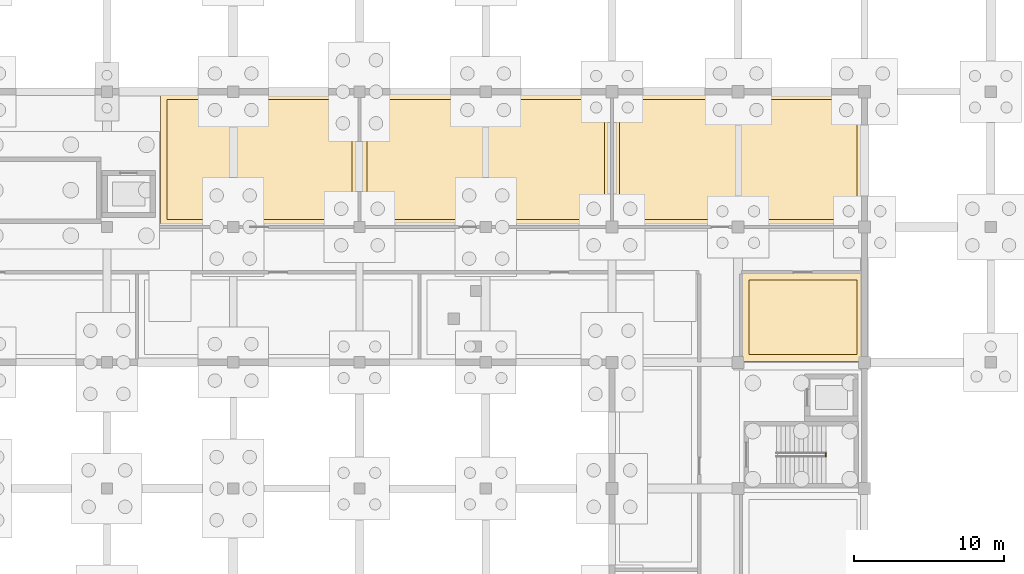
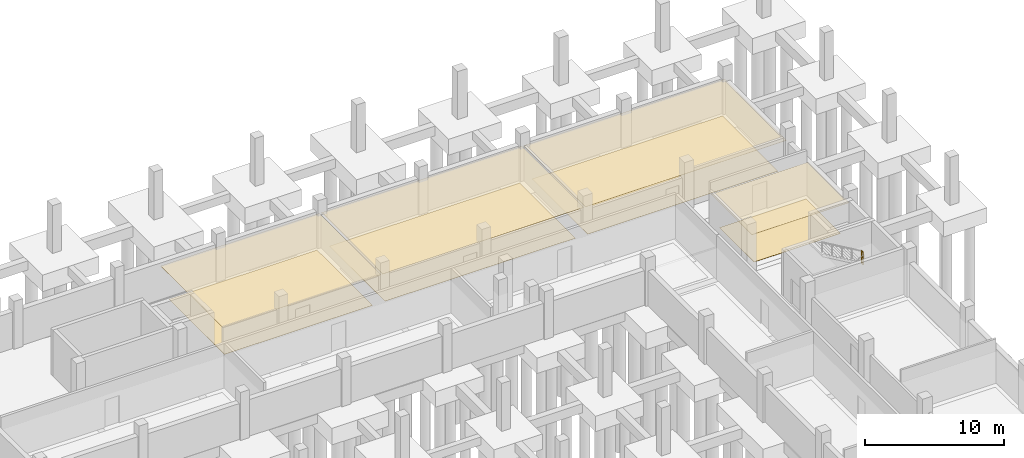
# One storey, part 18 of 20: 8 coverings, 1 railing.
"""IFC4 building model written with IfcOpenShell, lengths in metres."""

from ifc_helpers import new_model, si_unit, direction, frame, origin, origin_2d, place, context, subcontext, project, spatial, polyline, circle, outline, extrude, material, layer, layer_set, type_object, element, save


model = new_model("IFC4")

# Units and contexts
model_context = context("Model", 3, precision=1e-05, world=origin(), true_north=direction((0.0, 1.0)))
body_context = subcontext(model_context, "Body", "Model", "MODEL_VIEW")
ifc_project = project(units=[si_unit("LENGTHUNIT", "METRE"), si_unit("AREAUNIT", "SQUARE_METRE"), si_unit("VOLUMEUNIT", "CUBIC_METRE"), si_unit("PLANEANGLEUNIT", "RADIAN"), si_unit("MASSUNIT", "GRAM", prefix="KILO")], contexts=[model_context])

# Site, building, storey
site_placement = place(None, origin())
site = spatial("IfcSite", under=ifc_project, at=site_placement, CompositionType="ELEMENT")
building_placement = place(site_placement, origin())
building = spatial("IfcBuilding", under=site, at=building_placement, Name="Vireocrest Preparatory School", CompositionType="ELEMENT")
storey_placement = place(building_placement, frame((0.0, 0.0, -4.199951171875)))
storey = spatial("IfcBuildingStorey", under=building, at=storey_placement, Name="B01", CompositionType="ELEMENT", Elevation=-4.199951171875)

# Coverings
ifc_material_1 = material(Name="Mineral fibre acoustic ceiling tile")
ifc_layer_1 = layer(ifc_material_1, 0.02490234375)
ifc_layer_set_1 = layer_set([ifc_layer_1], Name="Mineral fibre acoustic ceiling tile")
covering_type_1 = type_object("IfcCoveringType", Name="Acoustic Mineral-Fibre Suspended Ceiling", PredefinedType="CEILING", material=ifc_layer_set_1)
covering_1_placement = place(storey_placement, frame((0.0, 0.0, 2.800048828125)))
element("IfcCovering", 1, at=covering_1_placement, inside=storey, type_object=covering_type_1, Name="Suspended Acoustic Ceiling B01-NPE01", PredefinedType="CEILING", context=body_context, shape_type="SweptSolid", body=[
    extrude(outline(polyline([(101.070068359375, 85.8701171875), (109.1298828125, 85.8701171875), (109.1298828125, 91.72998046875), (101.070068359375, 91.72998046875), (101.070068359375, 85.8701171875)])), origin(), (0.0, 0.0, 1.0), 0.02490234375),
])
covering_2_placement = place(storey_placement, frame((0.0, 0.0, 2.800048828125)))
element("IfcCovering", 2, at=covering_2_placement, inside=storey, type_object=covering_type_1, Name="Suspended Acoustic Ceiling B01-NPN01", PredefinedType="CEILING", context=body_context, shape_type="SweptSolid", body=[
    extrude(outline(polyline([(62.3701171875, 94.8701171875), (75.530029296875, 94.8701171875), (75.530029296875, 103.72998046875), (62.3701171875, 103.72998046875), (62.3701171875, 94.8701171875)])), origin(), (0.0, 0.0, 1.0), 0.02490234375),
])
covering_3_placement = place(storey_placement, frame((0.0, 0.0, 2.800048828125)))
element("IfcCovering", 3, at=covering_3_placement, inside=storey, type_object=covering_type_1, Name="Suspended Acoustic Ceiling B01-NPN02", PredefinedType="CEILING", context=body_context, shape_type="SweptSolid", body=[
    extrude(outline(polyline([(75.669921875, 94.8701171875), (92.330078125, 94.8701171875), (92.330078125, 103.72998046875), (75.669921875, 103.72998046875), (75.669921875, 94.8701171875)])), origin(), (0.0, 0.0, 1.0), 0.02490234375),
])
covering_4_placement = place(storey_placement, frame((0.0, 0.0, 2.800048828125)))
element("IfcCovering", 4, at=covering_4_placement, inside=storey, type_object=covering_type_1, Name="Suspended Acoustic Ceiling B01-NPN03", PredefinedType="CEILING", context=body_context, shape_type="SweptSolid", body=[
    extrude(outline(polyline([(92.469970703125, 94.8701171875), (109.1298828125, 94.8701171875), (109.1298828125, 103.72998046875), (92.469970703125, 103.72998046875), (92.469970703125, 94.8701171875)])), origin(), (0.0, 0.0, 1.0), 0.02490234375),
])

# Railing
ifc_material_2 = material(Name="Brushed stainless steel AISI 316", Category="steel")
railing_type = type_object("IfcRailingType", Name="Post-and-Rail Guard Balustrade 1120", PredefinedType="BALUSTRADE", material=ifc_material_2)
railing_placement = place(storey_placement, frame((106.6298828125, 79.530029296875, 2.099853515625)))
element("IfcRailing", 5, at=railing_placement, inside=storey, type_object=railing_type, Name="Half-Landing Well Guard ST4-B01", PredefinedType="BALUSTRADE", context=body_context, shape_type="SweptSolid", body=[
    extrude(circle(Radius=0.02392578125, at=origin_2d()), frame((0.0, 0.0, 1.09619140625), z_axis=(0.0, 1.0, 0.0), x_axis=(-1.0, 0.0, 0.0)), (0.0, 0.0, 1.0), 0.239990234375),
    extrude(circle(Radius=0.01806640625, at=origin_2d()), frame((0.0, 0.0, 0.56005859375), z_axis=(0.0, 1.0, 0.0), x_axis=(-1.0, 0.0, 0.0)), (0.0, 0.0, 1.0), 0.239990234375),
    extrude(circle(Radius=0.01806640625, at=origin_2d()), frame((0.0, 0.0, 0.10009765625), z_axis=(0.0, 1.0, 0.0), x_axis=(-1.0, 0.0, 0.0)), (0.0, 0.0, 1.0), 0.239990234375),
    extrude(circle(Radius=0.02099609375, at=origin_2d()), origin(), (0.0, 0.0, 1.0), 1.072021484375),
    extrude(circle(Radius=0.02099609375, at=origin_2d()), frame((0.0, 0.239990234375, 0.0)), (0.0, 0.0, 1.0), 1.072021484375),
])

# Coverings
ifc_material_3 = material(Name="Resilient acoustic linoleum flooring")
ifc_layer_2 = layer(ifc_material_3, 0.014892578125)
ifc_layer_set_2 = layer_set([ifc_layer_2], Name="Resilient acoustic linoleum flooring")
covering_type_2 = type_object("IfcCoveringType", Name="Resilient Linoleum Classroom Flooring", PredefinedType="FLOORING", material=ifc_layer_set_2)
covering_5_placement = place(storey_placement, origin())
element("IfcCovering", 6, at=covering_5_placement, inside=storey, type_object=covering_type_2, Name="Flooring FL3 B01-NPE01", PredefinedType="FLOORING", context=body_context, shape_type="SweptSolid", body=[
    extrude(outline(polyline([(101.510009765625, 86.31005859375), (108.68994140625, 86.31005859375), (108.68994140625, 91.2900390625), (101.510009765625, 91.2900390625), (101.510009765625, 86.31005859375)])), origin(), (0.0, 0.0, 1.0), 0.014892578125),
])
covering_6_placement = place(storey_placement, origin())
element("IfcCovering", 7, at=covering_6_placement, inside=storey, type_object=covering_type_2, Name="Flooring FL3 B01-NPN01", PredefinedType="FLOORING", context=body_context, shape_type="SweptSolid", body=[
    extrude(outline(polyline([(62.81005859375, 95.31005859375), (75.090087890625, 95.31005859375), (75.090087890625, 103.2900390625), (62.81005859375, 103.2900390625), (62.81005859375, 95.31005859375)])), origin(), (0.0, 0.0, 1.0), 0.014892578125),
])
covering_7_placement = place(storey_placement, origin())
element("IfcCovering", 8, at=covering_7_placement, inside=storey, type_object=covering_type_2, Name="Flooring FL3 B01-NPN02", PredefinedType="FLOORING", context=body_context, shape_type="SweptSolid", body=[
    extrude(outline(polyline([(76.110107421875, 95.31005859375), (91.889892578125, 95.31005859375), (91.889892578125, 103.2900390625), (76.110107421875, 103.2900390625), (76.110107421875, 95.31005859375)])), origin(), (0.0, 0.0, 1.0), 0.014892578125),
])
covering_8_placement = place(storey_placement, origin())
element("IfcCovering", 9, at=covering_8_placement, inside=storey, type_object=covering_type_2, Name="Flooring FL3 B01-NPN03", PredefinedType="FLOORING", context=body_context, shape_type="SweptSolid", body=[
    extrude(outline(polyline([(92.909912109375, 95.31005859375), (108.68994140625, 95.31005859375), (108.68994140625, 103.2900390625), (92.909912109375, 103.2900390625), (92.909912109375, 95.31005859375)])), origin(), (0.0, 0.0, 1.0), 0.014892578125),
])

save(model, "model.ifc")
